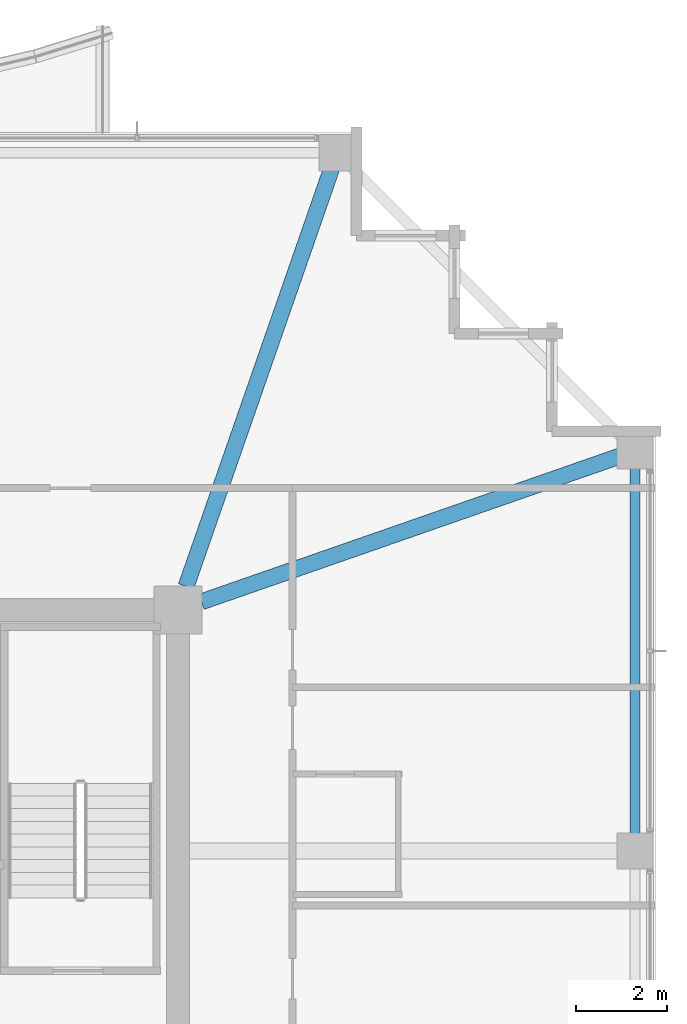
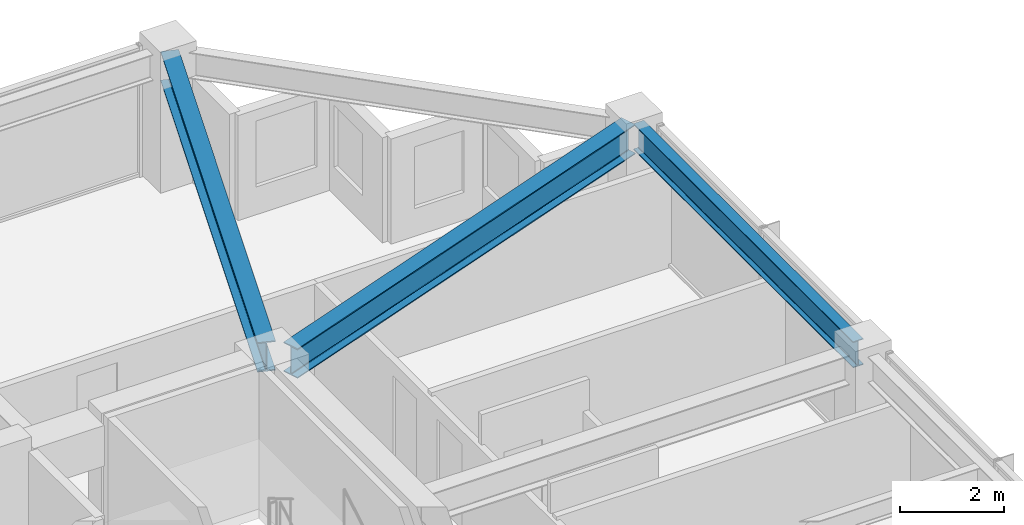
# One storey, part 20 of 36: 3 beams.
"""IFC4 building model written with IfcOpenShell, lengths in metres."""

from ifc_helpers import new_model, si_unit, direction, frame, origin, origin_2d, place, context, subcontext, project, spatial, i_section, extrude, material, material_profile, profile_set, type_object, element, save


model = new_model("IFC4")

# Units and contexts
model_context = context("Model", 3, precision=1e-05, world=origin(), true_north=direction((0.0, 1.0)))
body_context = subcontext(model_context, "Body", "Model", "MODEL_VIEW")
ifc_project = project(units=[si_unit("LENGTHUNIT", "METRE"), si_unit("AREAUNIT", "SQUARE_METRE"), si_unit("VOLUMEUNIT", "CUBIC_METRE"), si_unit("PLANEANGLEUNIT", "RADIAN"), si_unit("MASSUNIT", "GRAM", prefix="KILO")], contexts=[model_context])

# Site, building, storey
site_placement = place(None, origin())
site = spatial("IfcSite", under=ifc_project, at=site_placement, CompositionType="ELEMENT")
building_placement = place(site_placement, origin())
building = spatial("IfcBuilding", under=site, at=building_placement, Name="Kolvaren Belvedere", CompositionType="ELEMENT")
storey_placement = place(building_placement, frame((0.0, 0.0, 193.199951171875)))
storey = spatial("IfcBuildingStorey", under=building, at=storey_placement, Name="L56", CompositionType="ELEMENT", Elevation=193.199951171875)

# Beams
ifc_material_1 = material(Name="Structural steel ASTM A992 Grade 50", Category="steel")
ifc_material_profile_1 = material_profile(ifc_material_1, i_section(OverallWidth=0.35498046875, OverallDepth=0.696044921875, WebThickness=0.015380859375, FlangeThickness=0.02490234375, FilletRadius=0.02197265625, at=origin_2d()), Name="W27X146")
ifc_profile_set_1 = profile_set([ifc_material_profile_1], Name="Structural steel ASTM A992 Grade 50")
beam_type_1 = type_object("IfcBeamType", Name="BM-GIRD-W27X146", PredefinedType="BEAM", material=ifc_profile_set_1)
for number, where, z_axis, x_axis, name in (
    (1, (10.080810546875, 10.41943359375, 2.73193359375), (0.328898147971, 0.944365399758, 0.0), (-0.944365399758, 0.328898147971, 0.0), "L56 Corner Core-to-Perimeter Girder CC3-N4"),
    (2, (10.41943359375, 10.080810546875, 2.73193359375), (0.944365399758, 0.328898147971, 0.0), (-0.328898147971, 0.944365399758, 0.0), "L56 Corner Core-to-Perimeter Girder CC3-E4"),
):
    element("IfcBeam", number, at=place(storey_placement, frame(where, z_axis=z_axis, x_axis=x_axis)), inside=storey, type_object=beam_type_1, Name=name, PredefinedType="BEAM", context=body_context, shape_type="SweptSolid", body=[
        extrude(i_section(OverallWidth=0.35498046875, OverallDepth=0.696044921875, WebThickness=0.015380859375, FlangeThickness=0.02490234375, FilletRadius=0.02197265625, at=origin_2d()), origin(), (0.0, 0.0, 1.0), 9.931884765625),
    ])
ifc_material_2 = material(Name="Structural steel ASTM A992 Grade 50", Category="steel")
ifc_material_profile_2 = material_profile(ifc_material_2, i_section(OverallWidth=0.22900390625, OverallDepth=0.612060546875, WebThickness=0.011962890625, FlangeThickness=0.01953125, FilletRadius=0.01806640625, at=origin_2d()), Name="W24X84")
ifc_profile_set_2 = profile_set([ifc_material_profile_2], Name="Structural steel ASTM A992 Grade 50")
beam_type_2 = type_object("IfcBeamType", Name="BM-SPAN-W24X84", PredefinedType="SPANDREL", material=ifc_profile_set_2)
beam_placement = place(storey_placement, frame((19.949951171875, 4.780029296875, 2.774169921875), z_axis=(0.0, 1.0, 0.0), x_axis=(-1.0, 0.0, 0.0)))
element("IfcBeam", 3, at=beam_placement, inside=storey, type_object=beam_type_2, Name="L56 Perimeter Spandrel E3-E4", PredefinedType="SPANDREL", context=body_context, shape_type="SweptSolid", body=[
    extrude(i_section(OverallWidth=0.22900390625, OverallDepth=0.612060546875, WebThickness=0.011962890625, FlangeThickness=0.01953125, FilletRadius=0.01806640625, at=origin_2d()), origin(), (0.0, 0.0, 1.0), 8.43994140625),
])

save(model, "model.ifc")
